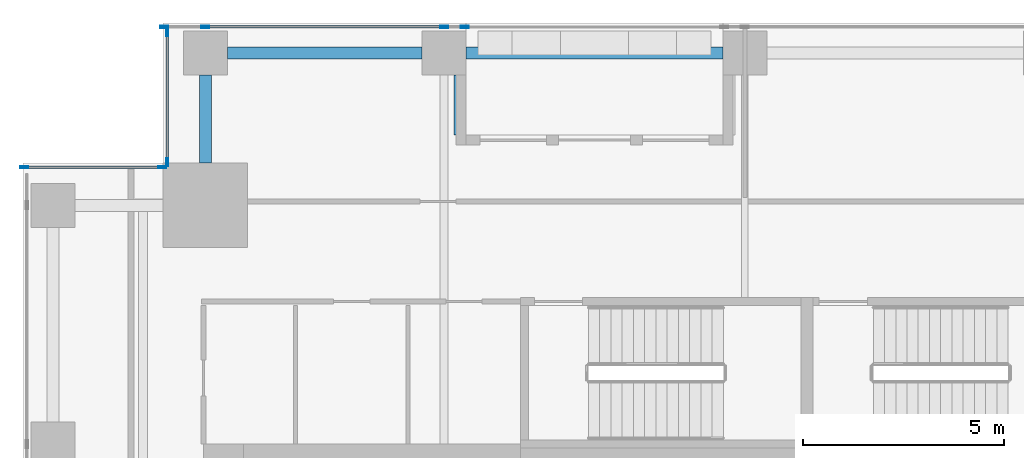
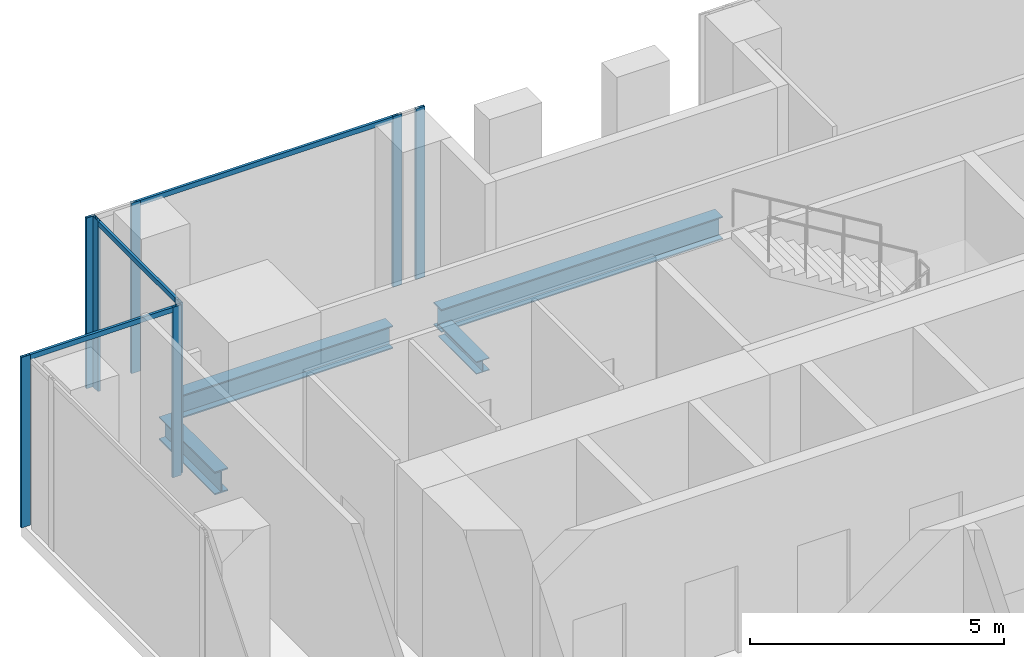
# One storey, part 16 of 34: 11 members, 4 beams, 3 elements without a shape of their own.
"""IFC4 building model written with IfcOpenShell, lengths in metres."""

from ifc_helpers import new_model, si_unit, direction, frame, origin, origin_2d, place, context, subcontext, project, spatial, hollow_rectangle, i_section, extrude, source, transform, mapped, material, material_profile, profile_set, type_object, element, aggregate, save


model = new_model("IFC4")

# Units and contexts
model_context = context("Model", 3, precision=1e-05, world=origin(), true_north=direction((0.0, 1.0)))
body_context = subcontext(model_context, "Body", "Model", "MODEL_VIEW")
ifc_project = project(units=[si_unit("LENGTHUNIT", "METRE"), si_unit("AREAUNIT", "SQUARE_METRE"), si_unit("VOLUMEUNIT", "CUBIC_METRE"), si_unit("PLANEANGLEUNIT", "RADIAN"), si_unit("MASSUNIT", "GRAM", prefix="KILO")], contexts=[model_context])

# Site, building, storey
site_placement = place(None, origin())
site = spatial("IfcSite", under=ifc_project, at=site_placement, CompositionType="ELEMENT")
building_placement = place(site_placement, origin())
building = spatial("IfcBuilding", under=site, at=building_placement, Name="Khomas Fold Tower", CompositionType="ELEMENT")
storey_placement = place(building_placement, frame((0.0, 0.0, 145.5)))
storey = spatial("IfcBuildingStorey", under=building, at=storey_placement, Name="L31", CompositionType="ELEMENT", Elevation=145.5)

# Beams
ifc_material_1 = material(Name="Steel S355", Category="steel")
ifc_material_profile_1 = material_profile(ifc_material_1, i_section(OverallWidth=0.300048828125, OverallDepth=0.550048828125, WebThickness=0.014892578125, FlangeThickness=0.029052734375, at=origin_2d()), Name="HE 550 B")
ifc_profile_set_1 = profile_set([ifc_material_profile_1], Name="Steel S355")
beam_type_1 = type_object("IfcBeamType", Name="HE 550 B spandrel SB2", PredefinedType="SPANDREL", material=ifc_profile_set_1)
shared_shape_1 = source(origin(), body_context, "Body", "SweptSolid", [
    extrude(i_section(OverallWidth=0.300048828125, OverallDepth=0.550048828125, WebThickness=0.014892578125, FlangeThickness=0.029052734375, at=origin_2d()), origin(), (0.0, 0.0, 1.0), 4.849853515625),
])
beam_1_placement = place(storey_placement, frame((6.60009765625, 51.75, -0.574951171875), z_axis=(1.0, 0.0, 0.0), x_axis=(0.0, 1.0, 0.0)))
element("IfcBeam", 1, at=beam_1_placement, inside=storey, type_object=beam_type_1, Name="SB2", PredefinedType="SPANDREL", context=body_context, shape_type="MappedRepresentation", body=[
    mapped(shared_shape_1, transform((0.0, 0.0, 0.0))),
])
shared_shape_2 = source(origin(), body_context, "Body", "SweptSolid", [
    extrude(i_section(OverallWidth=0.300048828125, OverallDepth=0.550048828125, WebThickness=0.014892578125, FlangeThickness=0.029052734375, at=origin_2d()), origin(), (0.0, 0.0, 1.0), 6.39990234375),
])
beam_2_placement = place(storey_placement, frame((12.550048828125, 51.75, -0.574951171875), z_axis=(1.0, 0.0, 0.0), x_axis=(0.0, 1.0, 0.0)))
element("IfcBeam", 2, at=beam_2_placement, inside=storey, type_object=beam_type_1, Name="SB2", PredefinedType="SPANDREL", context=body_context, shape_type="MappedRepresentation", body=[
    mapped(shared_shape_2, transform((0.0, 0.0, 0.0))),
])
shared_shape_3 = source(origin(), body_context, "Body", "SweptSolid", [
    extrude(i_section(OverallWidth=0.300048828125, OverallDepth=0.550048828125, WebThickness=0.014892578125, FlangeThickness=0.029052734375, at=origin_2d()), origin(), (0.0, 0.0, 1.0), 2.199951171875),
])
beam_3_placement = place(storey_placement, frame((6.050048828125, 49.0, -0.574951171875), z_axis=(0.0, 1.0, 0.0), x_axis=(-1.0, 0.0, 0.0)))
element("IfcBeam", 3, at=beam_3_placement, inside=storey, type_object=beam_type_1, Name="SB2", PredefinedType="SPANDREL", context=body_context, shape_type="MappedRepresentation", body=[
    mapped(shared_shape_3, transform((0.0, 0.0, 0.0))),
])
ifc_material_2 = material(Name="Steel S355", Category="steel")
ifc_material_profile_2 = material_profile(ifc_material_2, i_section(OverallWidth=0.300048828125, OverallDepth=0.300048828125, WebThickness=0.010986328125, FlangeThickness=0.01904296875, at=origin_2d()), Name="HE 300 B")
ifc_profile_set_2 = profile_set([ifc_material_profile_2], Name="Steel S355")
beam_type_2 = type_object("IfcBeamType", Name="HE 300 B beam BB1", PredefinedType="BEAM", material=ifc_profile_set_2)
shared_shape_4 = source(origin(), body_context, "Body", "SweptSolid", [
    extrude(i_section(OverallWidth=0.300048828125, OverallDepth=0.300048828125, WebThickness=0.010986328125, FlangeThickness=0.01904296875, at=origin_2d()), origin(), (0.0, 0.0, 1.0), 1.5),
])
beam_4_placement = place(storey_placement, frame((12.39990234375, 49.699951171875, -0.449951171875), z_axis=(0.0, 1.0, 0.0), x_axis=(-1.0, 0.0, 0.0)))
element("IfcBeam", 4, at=beam_4_placement, inside=storey, type_object=beam_type_2, Name="BB1", PredefinedType="BEAM", context=body_context, shape_type="MappedRepresentation", body=[
    mapped(shared_shape_4, transform((0.0, 0.0, 0.0))),
])

# Curtain wall, members
ifc_material_3 = material(Name="Aluminium framed double glazing", Category="aluminium")
curtain_wall_type = type_object("IfcCurtainWallType", Name="SK-Unitised clear-glass wall, growing floors CW1", PredefinedType="NOTDEFINED", material=ifc_material_3)
curtain_wall_1_placement = place(storey_placement, origin())
curtain_wall_1 = element("IfcCurtainWall", 5, at=curtain_wall_1_placement, inside=storey, type_object=curtain_wall_type, Name="CW1 run L31 06-1", PredefinedType="NOTDEFINED")
ifc_material_4 = material(Name="Aluminium", Category="aluminium")
ifc_material_profile_3 = material_profile(ifc_material_4, hollow_rectangle(XDim=0.06005859375, YDim=0.199951171875, WallThickness=0.00390625, at=origin_2d()), Name="SK-Unitised clear-glass wall, growing floors mullion CW1-M")
ifc_profile_set_3 = profile_set([ifc_material_profile_3], Name="Aluminium")
member_type_1 = type_object("IfcMemberType", Name="SK-Unitised clear-glass wall, growing floors mullion CW1-M", PredefinedType="MULLION", material=ifc_profile_set_3)
shared_shape_5 = source(origin(), body_context, "Body", "SweptSolid", [
    extrude(hollow_rectangle(XDim=0.06005859375, YDim=0.199951171875, WallThickness=0.00390625, at=origin_2d()), origin(), (0.0, 0.0, 1.0), 4.10009765625),
])
member_1_placement = place(storey_placement, frame((12.52001953125, 52.39990234375, 0.0), z_axis=(0.0, 0.0, 1.0), x_axis=(0.0, -1.0, 0.0)))
member_1 = element("IfcMember", 6, at=member_1_placement, type_object=member_type_1, Name="CW1 mullion 1", PredefinedType="MULLION", context=body_context, shape_type="MappedRepresentation", body=[
    mapped(shared_shape_5, transform((0.0, 0.0, 0.0))),
])
member_2_placement = place(storey_placement, frame((12.0, 52.39990234375, 0.0), z_axis=(0.0, 0.0, 1.0), x_axis=(0.0, -1.0, 0.0)))
member_2 = element("IfcMember", 7, at=member_2_placement, type_object=member_type_1, Name="CW1 mullion 2", PredefinedType="MULLION", context=body_context, shape_type="MappedRepresentation", body=[
    mapped(shared_shape_5, transform((0.0, 0.0, 0.0))),
])
member_3_placement = place(storey_placement, frame((6.050048828125, 52.39990234375, 0.0), z_axis=(0.0, 0.0, 1.0), x_axis=(0.0, -1.0, 0.0)))
member_3 = element("IfcMember", 8, at=member_3_placement, type_object=member_type_1, Name="CW1 mullion 3", PredefinedType="MULLION", context=body_context, shape_type="MappedRepresentation", body=[
    mapped(shared_shape_5, transform((0.0, 0.0, 0.0))),
])
member_4_placement = place(storey_placement, frame((5.030029296875, 52.39990234375, 0.0), z_axis=(0.0, 0.0, 1.0), x_axis=(0.0, -1.0, 0.0)))
member_4 = element("IfcMember", 9, at=member_4_placement, type_object=member_type_1, Name="CW1 mullion 4", PredefinedType="MULLION", context=body_context, shape_type="MappedRepresentation", body=[
    mapped(shared_shape_5, transform((0.0, 0.0, 0.0))),
])

curtain_wall_2_placement = place(storey_placement, origin())
curtain_wall_2 = element("IfcCurtainWall", 10, at=curtain_wall_2_placement, inside=storey, type_object=curtain_wall_type, Name="CW1 corner return L31 07", PredefinedType="NOTDEFINED")
member_5_placement = place(storey_placement, frame((5.10009765625, 52.27001953125, 0.0), z_axis=(0.0, 0.0, 1.0), x_axis=(1.0, 0.0, 0.0)))
member_5 = element("IfcMember", 11, at=member_5_placement, type_object=member_type_1, Name="CW1 mullion 1", PredefinedType="MULLION", context=body_context, shape_type="MappedRepresentation", body=[
    mapped(shared_shape_5, transform((0.0, 0.0, 0.0))),
])
member_6_placement = place(storey_placement, frame((5.10009765625, 49.030029296875, 0.0), z_axis=(0.0, 0.0, 1.0), x_axis=(1.0, 0.0, 0.0)))
member_6 = element("IfcMember", 12, at=member_6_placement, type_object=member_type_1, Name="CW1 mullion 2", PredefinedType="MULLION", context=body_context, shape_type="MappedRepresentation", body=[
    mapped(shared_shape_5, transform((0.0, 0.0, 0.0))),
])

curtain_wall_3_placement = place(storey_placement, origin())
curtain_wall_3 = element("IfcCurtainWall", 13, at=curtain_wall_3_placement, inside=storey, type_object=curtain_wall_type, Name="CW1 corner return L31 08", PredefinedType="NOTDEFINED")
member_7_placement = place(storey_placement, frame((4.969970703125, 48.89990234375, 0.0), z_axis=(0.0, 0.0, 1.0), x_axis=(0.0, -1.0, 0.0)))
member_7 = element("IfcMember", 14, at=member_7_placement, type_object=member_type_1, Name="CW1 mullion 1", PredefinedType="MULLION", context=body_context, shape_type="MappedRepresentation", body=[
    mapped(shared_shape_5, transform((0.0, 0.0, 0.0))),
])
member_8_placement = place(storey_placement, frame((1.530029296875, 48.89990234375, 0.0), z_axis=(0.0, 0.0, 1.0), x_axis=(0.0, -1.0, 0.0)))
member_8 = element("IfcMember", 15, at=member_8_placement, type_object=member_type_1, Name="CW1 mullion 2", PredefinedType="MULLION", context=body_context, shape_type="MappedRepresentation", body=[
    mapped(shared_shape_5, transform((0.0, 0.0, 0.0))),
])

# Member
ifc_material_5 = material(Name="Aluminium", Category="aluminium")
ifc_material_profile_4 = material_profile(ifc_material_5, hollow_rectangle(XDim=0.06005859375, YDim=0.1201171875, WallThickness=0.00390625, at=origin_2d()), Name="SK-Unitised clear-glass wall, growing floors transom CW1-T")
ifc_profile_set_4 = profile_set([ifc_material_profile_4], Name="Aluminium")
member_type_2 = type_object("IfcMemberType", Name="SK-Unitised clear-glass wall, growing floors transom CW1-T", PredefinedType="USERDEFINED", material=ifc_profile_set_4)
shared_shape_6 = source(origin(), body_context, "Body", "SweptSolid", [
    extrude(hollow_rectangle(XDim=0.06005859375, YDim=0.1201171875, WallThickness=0.00390625, at=origin_2d()), origin(), (0.0, 0.0, 1.0), 5.889892578125),
])
member_9_placement = place(storey_placement, frame((11.969970703125, 52.39990234375, 4.0400390625), z_axis=(-1.0, 0.0, 0.0), x_axis=(0.0, -1.0, 0.0)))
member_9 = element("IfcMember", 16, at=member_9_placement, type_object=member_type_2, Name="CW1 transom 2", ObjectType="TRANSOM", PredefinedType="USERDEFINED", context=body_context, shape_type="MappedRepresentation", body=[
    mapped(shared_shape_6, transform((0.0, 0.0, 0.0))),
])

aggregate(curtain_wall_1, [member_1, member_2, member_3, member_4, member_9])

shared_shape_7 = source(origin(), body_context, "Body", "SweptSolid", [
    extrude(hollow_rectangle(XDim=0.06005859375, YDim=0.1201171875, WallThickness=0.00390625, at=origin_2d()), origin(), (0.0, 0.0, 1.0), 3.179931640625),
])
member_10_placement = place(storey_placement, frame((5.10009765625, 52.239990234375, 4.0400390625), z_axis=(0.0, -1.0, 0.0), x_axis=(1.0, 0.0, 0.0)))
member_10 = element("IfcMember", 17, at=member_10_placement, type_object=member_type_2, Name="CW1 transom 1", ObjectType="TRANSOM", PredefinedType="USERDEFINED", context=body_context, shape_type="MappedRepresentation", body=[
    mapped(shared_shape_7, transform((0.0, 0.0, 0.0))),
])

aggregate(curtain_wall_2, [member_5, member_6, member_10])

shared_shape_8 = source(origin(), body_context, "Body", "SweptSolid", [
    extrude(hollow_rectangle(XDim=0.06005859375, YDim=0.1201171875, WallThickness=0.00390625, at=origin_2d()), origin(), (0.0, 0.0, 1.0), 3.3798828125),
])
member_11_placement = place(storey_placement, frame((4.93994140625, 48.89990234375, 4.0400390625), z_axis=(-1.0, 0.0, 0.0), x_axis=(0.0, -1.0, 0.0)))
member_11 = element("IfcMember", 18, at=member_11_placement, type_object=member_type_2, Name="CW1 transom 1", ObjectType="TRANSOM", PredefinedType="USERDEFINED", context=body_context, shape_type="MappedRepresentation", body=[
    mapped(shared_shape_8, transform((0.0, 0.0, 0.0))),
])

aggregate(curtain_wall_3, [member_7, member_8, member_11])

save(model, "model.ifc")
